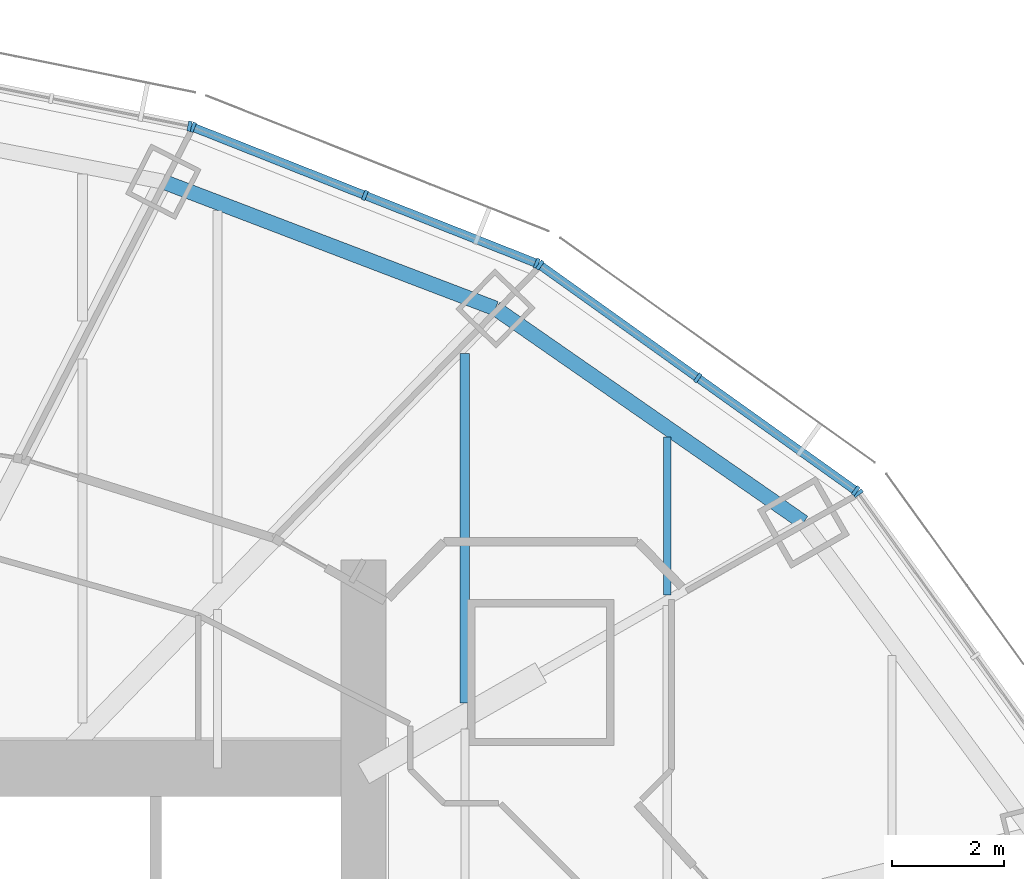
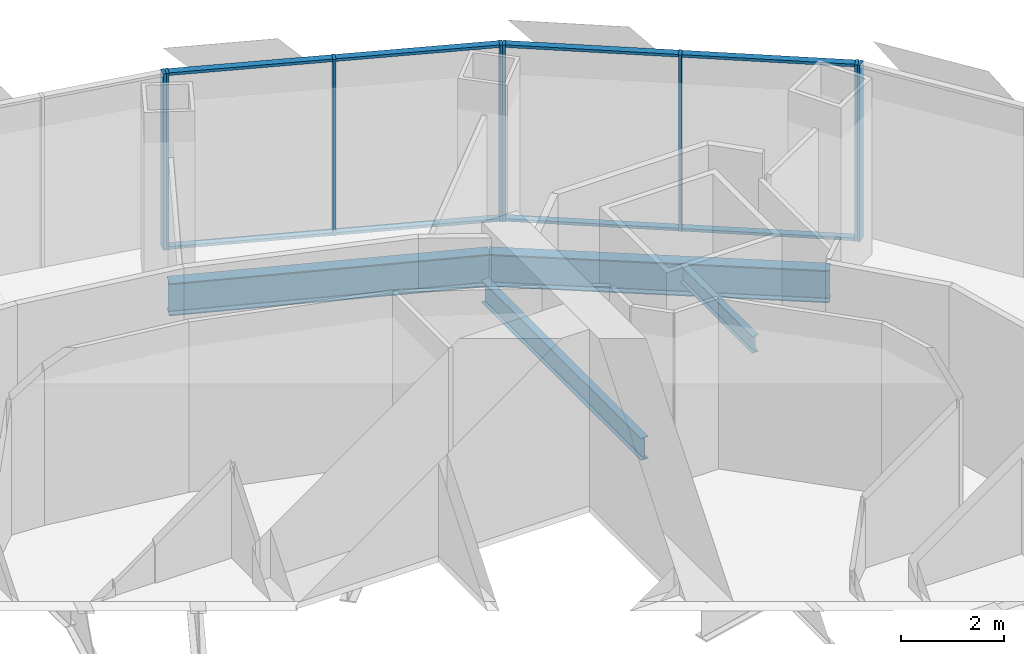
# One storey, part 9 of 18: 16 members, 4 beams, 4 elements without a shape of their own.
"""IFC4 building model written with IfcOpenShell, lengths in metres."""

import ifcopenshell
import ifcopenshell.guid

model = None  # the IFC model being written
_history = None  # IfcOwnerHistory: only IFC2X3 demands one
_inside = {}  # id of a spatial element -> (the spatial element, [elements in it])
_under = {}  # id of a project, library or spatial element -> (it, [spatial elements below it])
_declared = {}  # id of a project -> (the project, [libraries it declares])
_typed = {}  # id of a type object -> (the type object, [elements of that type])
_made_of = {}  # id of a material, layer set ... -> (it, [elements and type objects made of it])


def new_model(schema):
    """Start an empty IFC model of exactly this schema.

    Asked for "IFC4X3", IfcOpenShell would pick the latest addendum, in which some entities
    have other attributes; the version numbers below select the first issue.
    IFC2X3 requires an IfcOwnerHistory on every rooted entity: one is made here for all.
    """
    global model, _history
    if schema == "IFC4X3":
        model = ifcopenshell.file(schema_version=(4, 3, 0, 0))
    else:
        model = ifcopenshell.file(schema=schema)
    _inside.clear()
    _under.clear()
    _declared.clear()
    _typed.clear()
    _made_of.clear()
    _history = None
    if model.schema == "IFC2X3":
        org = make("IfcOrganization", Name="unknown")
        user = make(
            "IfcPersonAndOrganization",
            ThePerson=make("IfcPerson", FamilyName="unknown"),
            TheOrganization=org,
        )
        app = make(
            "IfcApplication",
            ApplicationDeveloper=org,
            Version="unknown",
            ApplicationFullName="unknown",
            ApplicationIdentifier="unknown",
        )
        _history = make(
            "IfcOwnerHistory",
            OwningUser=user,
            OwningApplication=app,
            ChangeAction="ADDED",
            CreationDate=0,
        )
    return model


def make(cls, **values):
    """One entity of the class cls with the attributes given. An attribute that is None is left unset."""
    return model.create_entity(
        cls, **{name: value for name, value in values.items() if value is not None}
    )


def rooted(cls, **values):
    """An entity with a GlobalId (a new one), such as an element, a storey or a relation."""
    return make(cls, GlobalId=ifcopenshell.guid.new(), OwnerHistory=_history, **values)


def si_unit(unit_type, name, prefix=None):
    """IfcSIUnit, for example si_unit("LENGTHUNIT", "METRE", prefix="MILLI")."""
    return make("IfcSIUnit", UnitType=unit_type, Prefix=prefix, Name=name)


def assignment(units):
    """IfcUnitAssignment: the units of a project."""
    return None if units is None else make("IfcUnitAssignment", Units=units)


def point(xyz):
    """IfcCartesianPoint."""
    return None if xyz is None else make("IfcCartesianPoint", Coordinates=xyz)


def direction(xyz):
    """IfcDirection."""
    return None if xyz is None else make("IfcDirection", DirectionRatios=xyz)


def frame(location, z_axis=None, x_axis=None):
    """IfcAxis2Placement3D, a coordinate frame: its origin and axes. An axis left out is left unset."""
    return make(
        "IfcAxis2Placement3D",
        Location=point(location),
        Axis=direction(z_axis),
        RefDirection=direction(x_axis),
    )


def frame_2d(location, x_axis=None):
    """IfcAxis2Placement2D, a coordinate frame in the plane: its origin and x axis."""
    return make(
        "IfcAxis2Placement2D", Location=point(location), RefDirection=direction(x_axis)
    )


def origin():
    """The frame at (0, 0, 0) with its axes left unset."""
    return frame((0.0, 0.0, 0.0))


def origin_2d():
    """The frame at (0, 0) in the plane with its x axis left unset."""
    return frame_2d((0.0, 0.0))


def place(relative_to, where):
    """IfcLocalPlacement: puts the frame where relative to a parent placement (None: the world)."""
    return make(
        "IfcLocalPlacement", PlacementRelTo=relative_to, RelativePlacement=where
    )


def context(
    kind, dimensions, precision=None, world=None, true_north=None, identifier=None
):
    """IfcGeometricRepresentationContext, for example the 3D "Model" context."""
    return make(
        "IfcGeometricRepresentationContext",
        ContextIdentifier=identifier,
        ContextType=kind,
        CoordinateSpaceDimension=dimensions,
        Precision=precision,
        WorldCoordinateSystem=world,
        TrueNorth=true_north,
    )


def subcontext(parent, identifier, kind, view, scale=None):
    """IfcGeometricRepresentationSubContext, for example "Body" below "Model"."""
    return make(
        "IfcGeometricRepresentationSubContext",
        ContextIdentifier=identifier,
        ContextType=kind,
        ParentContext=parent,
        TargetScale=scale,
        TargetView=view,
    )


def project(units=None, contexts=None):
    """IfcProject with its units and contexts."""
    return rooted(
        "IfcProject",
        Name="project",
        RepresentationContexts=contexts,
        UnitsInContext=assignment(units),
    )


def spatial(cls, under=None, at=None, **own):
    """A site, building, storey or space (cls), placed at a placement, below another one or the project."""
    s = rooted(cls, ObjectPlacement=at, **own)
    if under is not None:
        _under.setdefault(under.id(), (under, []))[1].append(s)
    return s


def profile(cls, at=None, kind="AREA", **sizes):
    """A parametric profile (cls). Its sizes go by their IFC names, for example OverallWidth=200.0."""
    return make(cls, ProfileType=kind, Position=at, **sizes)


def rectangle(**sizes):
    """IfcRectangleProfileDef."""
    return profile("IfcRectangleProfileDef", **sizes)


def i_section(**sizes):
    """IfcIShapeProfileDef."""
    return profile("IfcIShapeProfileDef", **sizes)


def extrude(swept, where, along, depth):
    """IfcExtrudedAreaSolid: the profile swept, set in the frame where, extruded along a direction by depth."""
    return make(
        "IfcExtrudedAreaSolid",
        SweptArea=swept,
        Position=where,
        ExtrudedDirection=direction(along),
        Depth=depth,
    )


def shape(context_of_items, identifier, shape_type, items):
    """IfcShapeRepresentation: the items that make up one representation, for example the "Body"."""
    return make(
        "IfcShapeRepresentation",
        ContextOfItems=context_of_items,
        RepresentationIdentifier=identifier,
        RepresentationType=shape_type,
        Items=items,
    )


def material(Name=None, Category=None):
    """IfcMaterial."""
    return make("IfcMaterial", Name=Name, Category=Category)


def material_profile(
    of_material, cross_section, Name=None, Category=None, Priority=None
):
    """IfcMaterialProfile: a cross section and its material."""
    return make(
        "IfcMaterialProfile",
        Name=Name,
        Material=of_material,
        Profile=cross_section,
        Priority=Priority,
        Category=Category,
    )


def profile_set(profiles, Name=None, composite=None):
    """IfcMaterialProfileSet."""
    return make(
        "IfcMaterialProfileSet",
        Name=Name,
        MaterialProfiles=profiles,
        CompositeProfile=composite,
    )


def made_of(thing, what):
    """Note that an element or type object is made of a material, layer set ...; save() writes the relation."""
    if what is not None:
        _made_of.setdefault(what.id(), (what, []))[1].append(thing)
    return thing


def type_object(cls, material=None, **own):
    """A type object (cls), such as IfcWallType, which elements share."""
    return made_of(rooted(cls, **own), material)


def element(
    cls,
    number,
    at=None,
    inside=None,
    cuts=None,
    type_object=None,
    material=None,
    context=None,
    identifier="Body",
    shape_type=None,
    held_by="IfcProductDefinitionShape",
    body=None,
    shapes=None,
    **own,
):
    """One element of the class cls, such as IfcWall. Its Tag is "e" and its number.

    at: its placement. inside: the storey or other place that contains it. cuts: it is an
    opening in that element (IfcRelVoidsElement). A single representation is given by context,
    identifier, shape_type and body (its items); several are given by shapes. held_by: the class
    of the entity that holds the representations. save() writes the other relations.
    """
    e = rooted(cls, Tag="e%d" % number, ObjectPlacement=at, **own)
    if body is not None:
        shapes = [shape(context, identifier, shape_type, body)]
    if shapes is not None:
        e.Representation = make(held_by, Representations=shapes)
    if inside is not None:
        _inside.setdefault(inside.id(), (inside, []))[1].append(e)
    if cuts is not None:
        rooted(
            "IfcRelVoidsElement", RelatingBuildingElement=cuts, RelatedOpeningElement=e
        )
    if type_object is not None:
        _typed.setdefault(type_object.id(), (type_object, []))[1].append(e)
    return made_of(e, material)


def aggregate(whole, parts):
    """IfcRelAggregates: a whole, such as a stair, and the parts it consists of."""
    return rooted("IfcRelAggregates", RelatingObject=whole, RelatedObjects=parts)


def save(model, path):
    """Write the relations noted so far, then the file.

    IfcRelAggregates (storeys below a building ...), IfcRelContainedInSpatialStructure (elements
    in a storey), IfcRelDefinesByType, IfcRelAssociatesMaterial and IfcRelDeclares: one each for
    every whole, place, type object, material and project.
    """
    for whole, parts in _under.values():
        aggregate(whole, parts)
    for where, things in _inside.values():
        rooted(
            "IfcRelContainedInSpatialStructure",
            RelatedElements=things,
            RelatingStructure=where,
        )
    for kind, things in _typed.values():
        rooted("IfcRelDefinesByType", RelatedObjects=things, RelatingType=kind)
    for what, things in _made_of.values():
        rooted("IfcRelAssociatesMaterial", RelatedObjects=things, RelatingMaterial=what)
    for by, libraries in _declared.values():
        rooted("IfcRelDeclares", RelatingContext=by, RelatedDefinitions=libraries)
    model.write(path)


model = new_model("IFC4")

# Units and contexts
model_context = context("Model", 3, precision=1e-05, world=origin(), true_north=direction((0.0, 1.0)))
body_context = subcontext(model_context, "Body", "Model", "MODEL_VIEW")
ifc_project = project(units=[si_unit("LENGTHUNIT", "METRE"), si_unit("AREAUNIT", "SQUARE_METRE"), si_unit("VOLUMEUNIT", "CUBIC_METRE"), si_unit("PLANEANGLEUNIT", "RADIAN"), si_unit("MASSUNIT", "GRAM", prefix="KILO")], contexts=[model_context])

# Site, building, storey
site_placement = place(None, origin())
site = spatial("IfcSite", under=ifc_project, at=site_placement, CompositionType="ELEMENT")
building_placement = place(site_placement, origin())
building = spatial("IfcBuilding", under=site, at=building_placement, Name="Lantaw Convention Tower", CompositionType="ELEMENT")
storey_placement = place(building_placement, frame((0.0, 0.0, 241.0)))
storey = spatial("IfcBuildingStorey", under=building, at=storey_placement, Name="L56", CompositionType="ELEMENT", Elevation=241.0)

# Beams
ifc_material_1 = material(Name="Steel ASTM A992", Category="steel")
ifc_material_profile_1 = material_profile(ifc_material_1, i_section(OverallWidth=0.2666015625, OverallDepth=0.76953125, WebThickness=0.015625, FlangeThickness=0.025390625, FilletRadius=0.0126953125, at=origin_2d()), Name="W30X132")
ifc_profile_set_1 = profile_set([ifc_material_profile_1], Name="Steel ASTM A992")
beam_type_1 = type_object("IfcBeamType", Name="Beam E W30X132", PredefinedType="SPANDREL", material=ifc_profile_set_1)
beam_1_placement = place(storey_placement, frame((20.423095703125, 11.67041015625, -0.534912109375), z_axis=(-0.82135329406, 0.570419815869, 0.0), x_axis=(-0.570419815869, -0.82135329406, 0.0)))
element("IfcBeam", 1, at=beam_1_placement, inside=storey, type_object=beam_type_1, Name="Edge beam 3", PredefinedType="SPANDREL", context=body_context, shape_type="SweptSolid", body=[
    extrude(i_section(OverallWidth=0.2666015625, OverallDepth=0.76953125, WebThickness=0.015625, FlangeThickness=0.025390625, FilletRadius=0.0126953125, at=origin_2d()), origin(), (0.0, 0.0, 1.0), 6.67041015625),
])
beam_2_placement = place(storey_placement, frame((14.9443359375, 15.475341796875, -0.534912109375), z_axis=(-0.934234988, 0.356658081637, 0.0), x_axis=(-0.356658081637, -0.934234988, 0.0)))
element("IfcBeam", 2, at=beam_2_placement, inside=storey, type_object=beam_type_1, Name="Edge beam 4", PredefinedType="SPANDREL", context=body_context, shape_type="SweptSolid", body=[
    extrude(i_section(OverallWidth=0.2666015625, OverallDepth=0.76953125, WebThickness=0.015625, FlangeThickness=0.025390625, FilletRadius=0.0126953125, at=origin_2d()), origin(), (0.0, 0.0, 1.0), 6.32568359375),
])
ifc_material_profile_2 = material_profile(ifc_material_1, i_section(OverallWidth=0.140380859375, OverallDepth=0.40380859375, WebThickness=0.007080078125, FlangeThickness=0.01123046875, FilletRadius=0.01025390625, at=origin_2d()), Name="W16X31")
ifc_profile_set_2 = profile_set([ifc_material_profile_2], Name="Steel ASTM A992")
beam_type_2 = type_object("IfcBeamType", Name="Beam J W16X31", PredefinedType="JOIST", material=ifc_profile_set_2)
beam_3_placement = place(storey_placement, frame((18.0, 10.380859375, -0.35205078125), z_axis=(0.0, 1.0, 0.0), x_axis=(-1.0, 0.0, 0.0)))
element("IfcBeam", 3, at=beam_3_placement, inside=storey, type_object=beam_type_2, Name="Floor joist", PredefinedType="JOIST", context=body_context, shape_type="SweptSolid", body=[
    extrude(i_section(OverallWidth=0.140380859375, OverallDepth=0.40380859375, WebThickness=0.007080078125, FlangeThickness=0.01123046875, FilletRadius=0.01025390625, at=origin_2d()), origin(), (0.0, 0.0, 1.0), 2.81005859375),
])
ifc_material_profile_3 = material_profile(ifc_material_1, i_section(OverallWidth=0.1650390625, OverallDepth=0.52587890625, WebThickness=0.0087890625, FlangeThickness=0.011474609375, FilletRadius=0.0126953125, at=origin_2d()), Name="W21X44")
ifc_profile_set_3 = profile_set([ifc_material_profile_3], Name="Steel ASTM A992")
beam_type_3 = type_object("IfcBeamType", Name="Beam J W21X44", PredefinedType="JOIST", material=ifc_profile_set_3)
beam_4_placement = place(storey_placement, frame((14.39990234375, 8.461181640625, -0.412841796875), z_axis=(0.0, 1.0, 0.0), x_axis=(-1.0, 0.0, 0.0)))
element("IfcBeam", 4, at=beam_4_placement, inside=storey, type_object=beam_type_3, Name="Floor joist", PredefinedType="JOIST", context=body_context, shape_type="SweptSolid", body=[
    extrude(i_section(OverallWidth=0.1650390625, OverallDepth=0.52587890625, WebThickness=0.0087890625, FlangeThickness=0.011474609375, FilletRadius=0.0126953125, at=origin_2d()), origin(), (0.0, 0.0, 1.0), 6.214599609375),
])

# Curtain wall, member
ifc_material_2 = material(Name="Aluminium framed curtain wall", Category="aluminium")
curtain_wall_type = type_object("IfcCurtainWallType", Name="Office curtain wall high rise, pale aluminium", PredefinedType="USERDEFINED", material=ifc_material_2)
curtain_wall_1_placement = place(storey_placement, origin())
curtain_wall_1 = element("IfcCurtainWall", 5, at=curtain_wall_1_placement, inside=storey, type_object=curtain_wall_type, Name="Office curtain wall high rise, pale aluminium L56", ObjectType="UNITISED CURTAIN WALL", PredefinedType="USERDEFINED")
ifc_material_3 = material(Name="Aluminium 6063-T6", Category="aluminium")
ifc_material_profile_4 = material_profile(ifc_material_3, rectangle(XDim=0.179931640625, YDim=0.06494140625, at=origin_2d()), Name="CW-O2 mullion 65x180")
ifc_profile_set_4 = profile_set([ifc_material_profile_4], Name="Aluminium 6063-T6")
member_type_1 = type_object("IfcMemberType", Name="CW-O2 mullion 65x180", PredefinedType="MULLION", material=ifc_profile_set_4)
member_1_placement = place(storey_placement, frame((21.397216796875, 12.189697265625, -0.14990234375), z_axis=(0.0, 0.0, 1.0), x_axis=(-0.810919559405, -0.585157643865, 0.0)))
member_1 = element("IfcMember", 6, at=member_1_placement, type_object=member_type_1, Name="CW-O2 mullion 3", PredefinedType="MULLION", context=body_context, shape_type="SweptSolid", body=[
    extrude(rectangle(XDim=0.179931640625, YDim=0.06494140625, at=origin_2d()), origin(), (0.0, 0.0, 1.0), 4.199951171875),
])
aggregate(curtain_wall_1, [member_1])

# Curtain wall, members
curtain_wall_2_placement = place(storey_placement, origin())
curtain_wall_2 = element("IfcCurtainWall", 7, at=curtain_wall_2_placement, inside=storey, type_object=curtain_wall_type, Name="Office curtain wall high rise, pale aluminium L56", ObjectType="UNITISED CURTAIN WALL", PredefinedType="USERDEFINED")
member_2_placement = place(storey_placement, frame((21.3515625, 12.23486328125, -0.14990234375), z_axis=(0.0, 0.0, 1.0), x_axis=(-0.581323487281, -0.813672540482, 0.0)))
member_2 = element("IfcMember", 8, at=member_2_placement, type_object=member_type_1, Name="CW-O2 mullion 1", PredefinedType="MULLION", context=body_context, shape_type="SweptSolid", body=[
    extrude(rectangle(XDim=0.179931640625, YDim=0.06494140625, at=origin_2d()), origin(), (0.0, 0.0, 1.0), 4.199951171875),
])
member_3_placement = place(storey_placement, frame((18.543212890625, 14.241455078125, -0.14990234375), z_axis=(0.0, 0.0, 1.0), x_axis=(-0.581323487281, -0.813672540482, 0.0)))
member_3 = element("IfcMember", 9, at=member_3_placement, type_object=member_type_1, Name="CW-O2 mullion 2", PredefinedType="MULLION", context=body_context, shape_type="SweptSolid", body=[
    extrude(rectangle(XDim=0.179931640625, YDim=0.06494140625, at=origin_2d()), origin(), (0.0, 0.0, 1.0), 4.199951171875),
])
member_4_placement = place(storey_placement, frame((15.73486328125, 16.247802734375, -0.14990234375), z_axis=(0.0, 0.0, 1.0), x_axis=(-0.581323487281, -0.813672540482, 0.0)))
member_4 = element("IfcMember", 10, at=member_4_placement, type_object=member_type_1, Name="CW-O2 mullion 3", PredefinedType="MULLION", context=body_context, shape_type="SweptSolid", body=[
    extrude(rectangle(XDim=0.179931640625, YDim=0.06494140625, at=origin_2d()), origin(), (0.0, 0.0, 1.0), 4.199951171875),
])

curtain_wall_3_placement = place(storey_placement, origin())
curtain_wall_3 = element("IfcCurtainWall", 11, at=curtain_wall_3_placement, inside=storey, type_object=curtain_wall_type, Name="Office curtain wall high rise, pale aluminium L56", ObjectType="UNITISED CURTAIN WALL", PredefinedType="USERDEFINED")
member_5_placement = place(storey_placement, frame((15.67822265625, 16.278564453125, -0.14990234375), z_axis=(0.0, 0.0, 1.0), x_axis=(-0.368162315252, -0.929761533743, 0.0)))
member_5 = element("IfcMember", 12, at=member_5_placement, type_object=member_type_1, Name="CW-O2 mullion 1", PredefinedType="MULLION", context=body_context, shape_type="SweptSolid", body=[
    extrude(rectangle(XDim=0.179931640625, YDim=0.06494140625, at=origin_2d()), origin(), (0.0, 0.0, 1.0), 4.199951171875),
])
member_6_placement = place(storey_placement, frame((12.621337890625, 17.4892578125, -0.14990234375), z_axis=(0.0, 0.0, 1.0), x_axis=(-0.368162315252, -0.929761533743, 0.0)))
member_6 = element("IfcMember", 13, at=member_6_placement, type_object=member_type_1, Name="CW-O2 mullion 2", PredefinedType="MULLION", context=body_context, shape_type="SweptSolid", body=[
    extrude(rectangle(XDim=0.179931640625, YDim=0.06494140625, at=origin_2d()), origin(), (0.0, 0.0, 1.0), 4.199951171875),
])
member_7_placement = place(storey_placement, frame((9.564208984375, 18.69970703125, -0.14990234375), z_axis=(0.0, 0.0, 1.0), x_axis=(-0.368162315252, -0.929761533743, 0.0)))
member_7 = element("IfcMember", 14, at=member_7_placement, type_object=member_type_1, Name="CW-O2 mullion 3", PredefinedType="MULLION", context=body_context, shape_type="SweptSolid", body=[
    extrude(rectangle(XDim=0.179931640625, YDim=0.06494140625, at=origin_2d()), origin(), (0.0, 0.0, 1.0), 4.199951171875),
])

# Curtain wall, member
curtain_wall_4_placement = place(storey_placement, origin())
curtain_wall_4 = element("IfcCurtainWall", 15, at=curtain_wall_4_placement, inside=storey, type_object=curtain_wall_type, Name="Office curtain wall high rise, pale aluminium L56", ObjectType="UNITISED CURTAIN WALL", PredefinedType="USERDEFINED")
member_8_placement = place(storey_placement, frame((9.502197265625, 18.718017578125, -0.14990234375), z_axis=(0.0, 0.0, 1.0), x_axis=(-0.197183095987, -0.980366679695, 0.0)))
member_8 = element("IfcMember", 16, at=member_8_placement, type_object=member_type_1, Name="CW-O2 mullion 1", PredefinedType="MULLION", context=body_context, shape_type="SweptSolid", body=[
    extrude(rectangle(XDim=0.179931640625, YDim=0.06494140625, at=origin_2d()), origin(), (0.0, 0.0, 1.0), 4.199951171875),
])
aggregate(curtain_wall_4, [member_8])

# Member
ifc_material_profile_5 = material_profile(ifc_material_3, rectangle(XDim=0.14990234375, YDim=0.06494140625, at=origin_2d()), Name="CW-O2 transom 65x150")
ifc_profile_set_5 = profile_set([ifc_material_profile_5], Name="Aluminium 6063-T6")
member_type_2 = type_object("IfcMemberType", Name="CW-O2 transom 65x150", PredefinedType="USERDEFINED", material=ifc_profile_set_5)
member_9_placement = place(storey_placement, frame((21.3251953125, 12.25390625, -0.117431640625), z_axis=(-0.813679882592, 0.581313210468, 0.0), x_axis=(-0.581313210468, -0.813679882592, 0.0)))
member_9 = element("IfcMember", 17, at=member_9_placement, type_object=member_type_2, Name="CW-O2 transom 1.1", ObjectType="TRANSOM", PredefinedType="USERDEFINED", context=body_context, shape_type="SweptSolid", body=[
    extrude(rectangle(XDim=0.14990234375, YDim=0.06494140625, at=origin_2d()), origin(), (0.0, 0.0, 1.0), 3.38623046875),
])

member_10_placement = place(storey_placement, frame((21.3251953125, 12.25390625, 4.017578125), z_axis=(-0.813679882592, 0.581313210468, 0.0), x_axis=(-0.581313210468, -0.813679882592, 0.0)))
member_10 = element("IfcMember", 18, at=member_10_placement, type_object=member_type_2, Name="CW-O2 transom 1.2", ObjectType="TRANSOM", PredefinedType="USERDEFINED", context=body_context, shape_type="SweptSolid", body=[
    extrude(rectangle(XDim=0.14990234375, YDim=0.06494140625, at=origin_2d()), origin(), (0.0, 0.0, 1.0), 3.38623046875),
])

member_11_placement = place(storey_placement, frame((18.516845703125, 14.26025390625, -0.117431640625), z_axis=(-0.813645780821, 0.581360940683, 0.0), x_axis=(-0.581360940683, -0.813645780821, 0.0)))
member_11 = element("IfcMember", 19, at=member_11_placement, type_object=member_type_2, Name="CW-O2 transom 2.1", ObjectType="TRANSOM", PredefinedType="USERDEFINED", context=body_context, shape_type="SweptSolid", body=[
    extrude(rectangle(XDim=0.14990234375, YDim=0.06494140625, at=origin_2d()), origin(), (0.0, 0.0, 1.0), 3.386474609375),
])

member_12_placement = place(storey_placement, frame((18.516845703125, 14.26025390625, 4.017578125), z_axis=(-0.813645780821, 0.581360940683, 0.0), x_axis=(-0.581360940683, -0.813645780821, 0.0)))
member_12 = element("IfcMember", 20, at=member_12_placement, type_object=member_type_2, Name="CW-O2 transom 2.2", ObjectType="TRANSOM", PredefinedType="USERDEFINED", context=body_context, shape_type="SweptSolid", body=[
    extrude(rectangle(XDim=0.14990234375, YDim=0.06494140625, at=origin_2d()), origin(), (0.0, 0.0, 1.0), 3.386474609375),
])

aggregate(curtain_wall_2, [member_2, member_3, member_4, member_9, member_10, member_11, member_12])

member_13_placement = place(storey_placement, frame((15.648193359375, 16.29052734375, -0.117431640625), z_axis=(-0.929740712354, 0.368214893495, 0.0), x_axis=(-0.368214893495, -0.929740712354, 0.0)))
member_13 = element("IfcMember", 21, at=member_13_placement, type_object=member_type_2, Name="CW-O2 transom 1.1", ObjectType="TRANSOM", PredefinedType="USERDEFINED", context=body_context, shape_type="SweptSolid", body=[
    extrude(rectangle(XDim=0.14990234375, YDim=0.06494140625, at=origin_2d()), origin(), (0.0, 0.0, 1.0), 3.22314453125),
])

member_14_placement = place(storey_placement, frame((15.648193359375, 16.29052734375, 4.017578125), z_axis=(-0.929740712354, 0.368214893495, 0.0), x_axis=(-0.368214893495, -0.929740712354, 0.0)))
member_14 = element("IfcMember", 22, at=member_14_placement, type_object=member_type_2, Name="CW-O2 transom 1.2", ObjectType="TRANSOM", PredefinedType="USERDEFINED", context=body_context, shape_type="SweptSolid", body=[
    extrude(rectangle(XDim=0.14990234375, YDim=0.06494140625, at=origin_2d()), origin(), (0.0, 0.0, 1.0), 3.22314453125),
])

member_15_placement = place(storey_placement, frame((12.591064453125, 17.501220703125, -0.117431640625), z_axis=(-0.929766642946, 0.368149412149, 0.0), x_axis=(-0.368149412149, -0.929766642946, 0.0)))
member_15 = element("IfcMember", 23, at=member_15_placement, type_object=member_type_2, Name="CW-O2 transom 2.1", ObjectType="TRANSOM", PredefinedType="USERDEFINED", context=body_context, shape_type="SweptSolid", body=[
    extrude(rectangle(XDim=0.14990234375, YDim=0.06494140625, at=origin_2d()), origin(), (0.0, 0.0, 1.0), 3.222900390625),
])

member_16_placement = place(storey_placement, frame((12.591064453125, 17.501220703125, 4.017578125), z_axis=(-0.929766642946, 0.368149412149, 0.0), x_axis=(-0.368149412149, -0.929766642946, 0.0)))
member_16 = element("IfcMember", 24, at=member_16_placement, type_object=member_type_2, Name="CW-O2 transom 2.2", ObjectType="TRANSOM", PredefinedType="USERDEFINED", context=body_context, shape_type="SweptSolid", body=[
    extrude(rectangle(XDim=0.14990234375, YDim=0.06494140625, at=origin_2d()), origin(), (0.0, 0.0, 1.0), 3.222900390625),
])

aggregate(curtain_wall_3, [member_5, member_6, member_7, member_13, member_14, member_15, member_16])

save(model, "model.ifc")
